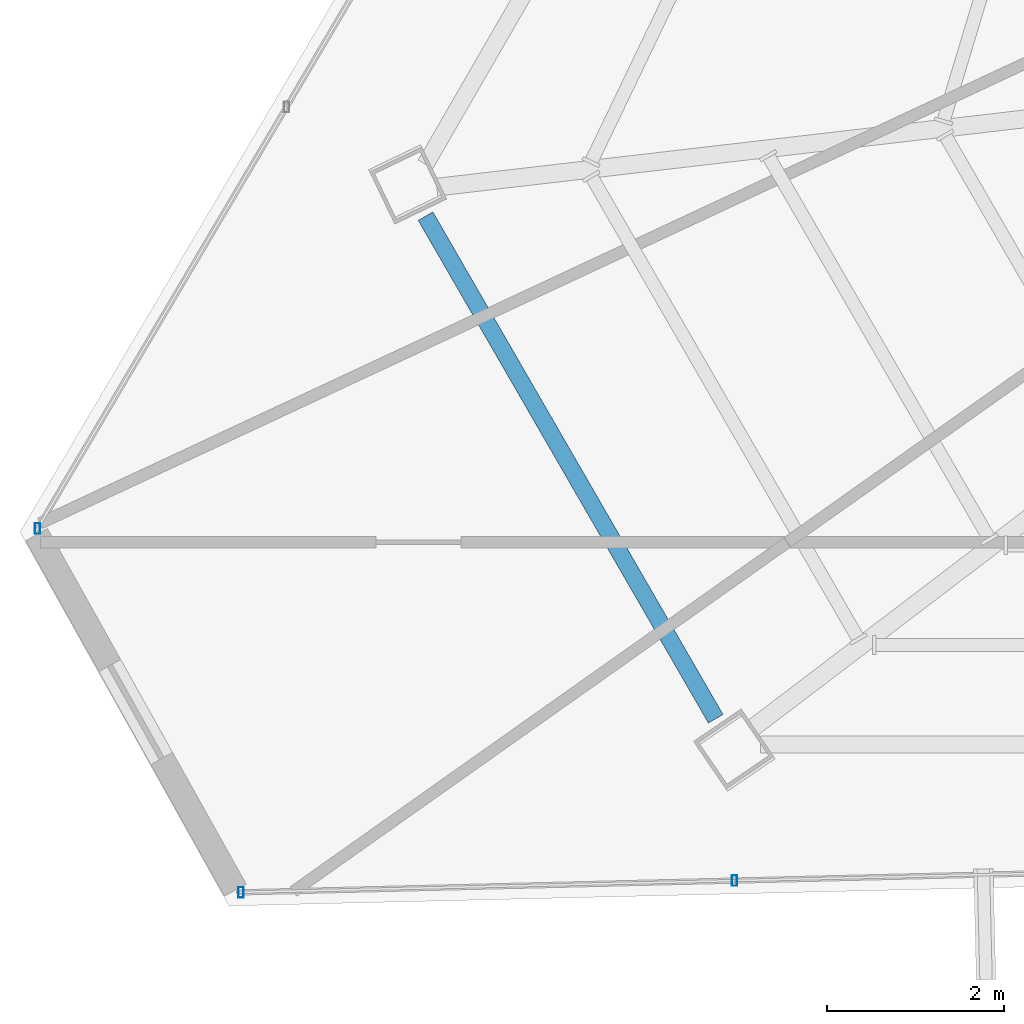
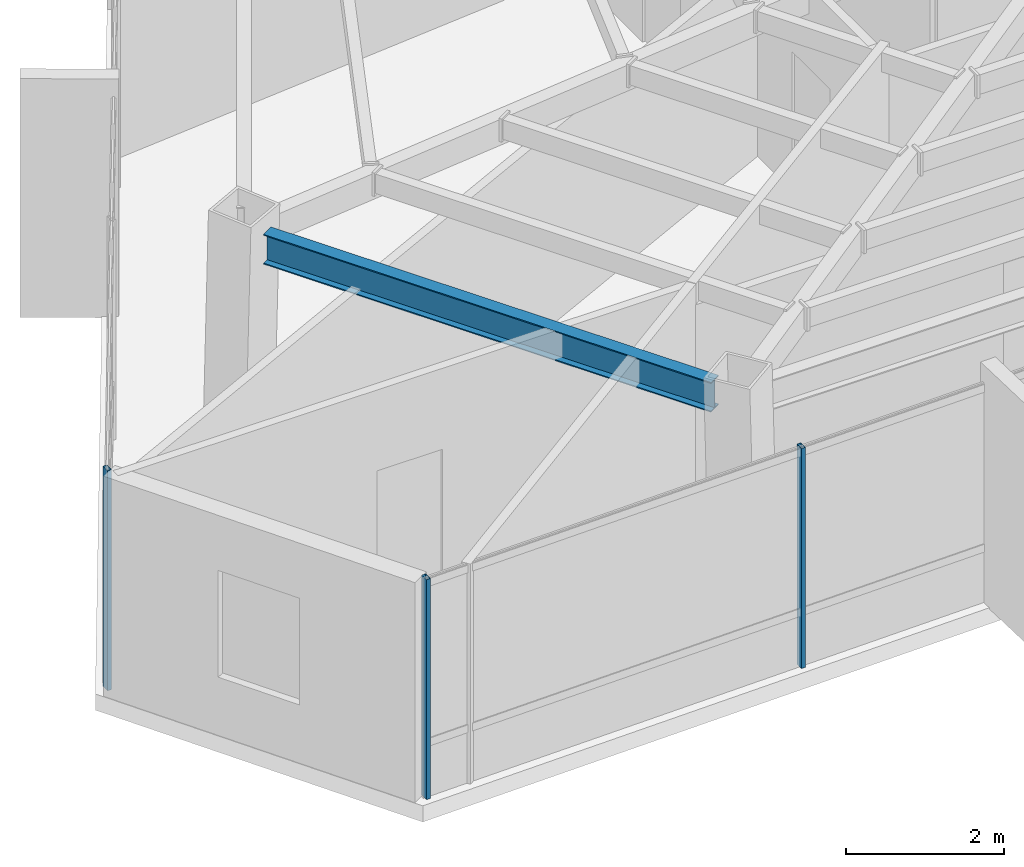
# One storey, part 3 of 45: 3 members, 1 beam, 2 elements without a shape of their own.
"""IFC4 building model written with IfcOpenShell, lengths in metres."""

from ifc_helpers import new_model, si_unit, direction, frame, origin, origin_2d, place, context, subcontext, project, spatial, hollow_rectangle, i_section, extrude, source, transform, mapped, material, material_profile, profile_set, type_object, type_shapes, element, aggregate, save


model = new_model("IFC4")

# Units and contexts
model_context = context("Model", 3, precision=1e-05, world=origin(), true_north=direction((0.0, 1.0)))
body_context = subcontext(model_context, "Body", "Model", "MODEL_VIEW")
ifc_project = project(units=[si_unit("LENGTHUNIT", "METRE"), si_unit("AREAUNIT", "SQUARE_METRE"), si_unit("VOLUMEUNIT", "CUBIC_METRE"), si_unit("PLANEANGLEUNIT", "RADIAN"), si_unit("MASSUNIT", "GRAM", prefix="KILO")], contexts=[model_context])

# Site, building, storey
site_placement = place(None, origin())
site = spatial("IfcSite", under=ifc_project, at=site_placement, CompositionType="ELEMENT")
building_placement = place(site_placement, origin())
building = spatial("IfcBuilding", under=site, at=building_placement, Name="Caelisora Broadcast Tower", CompositionType="ELEMENT")
storey_placement = place(building_placement, frame((0.0, 0.0, 262.699951171875)))
storey = spatial("IfcBuildingStorey", under=building, at=storey_placement, Name="L69", CompositionType="ELEMENT", Elevation=262.699951171875)

# Beam
ifc_material_1 = material(Name="Steel Grade 350 (AS/NZS 3679.1)", Category="steel")
ifc_material_profile_1 = material_profile(ifc_material_1, i_section(OverallWidth=0.19091796875, OverallDepth=0.46044921875, WebThickness=0.010009765625, FlangeThickness=0.01611328125, at=origin_2d()), Name="Steel Grade 350 (AS/NZS 3679.1)")
ifc_profile_set_1 = profile_set([ifc_material_profile_1], Name="Steel Grade 350 (AS/NZS 3679.1)")
beam_type = type_object("IfcBeamType", Name="PG06", PredefinedType="BEAM", material=ifc_profile_set_1)
shared_shape_1 = source(origin(), body_context, "Body", "SweptSolid", [
    extrude(i_section(OverallWidth=0.19091796875, OverallDepth=0.46044921875, WebThickness=0.010009765625, FlangeThickness=0.01611328125, at=origin_2d()), origin(), (0.0, 0.0, 1.0), 6.54052734375),
])
type_shapes(beam_type, [shared_shape_1])
beam_placement = place(storey_placement, frame((16.712890625, 15.486083984375, 3.169921875), z_axis=(0.499997099805, -0.866027078206, 0.0), x_axis=(0.866027078206, 0.499997099805, 0.0)))
element("IfcBeam", 1, at=beam_placement, inside=storey, type_object=beam_type, Name="L69 beam PG06", PredefinedType="BEAM", context=body_context, shape_type="MappedRepresentation", body=[
    mapped(shared_shape_1, transform((0.0, 0.0, 0.0), scale=1.0)),
])

# Curtain wall, members
ifc_material_2 = material(Name="Unitised Aluminium and Low-E Glass Curtain Wall", Category="glass")
curtain_wall_type = type_object("IfcCurtainWallType", Name="CW-Z5", PredefinedType="NOTDEFINED", material=ifc_material_2)
curtain_wall_1_placement = place(storey_placement, origin())
curtain_wall_1 = element("IfcCurtainWall", 2, at=curtain_wall_1_placement, inside=storey, type_object=curtain_wall_type, Name="L69 curtain wall CW-Z5", PredefinedType="NOTDEFINED")
ifc_material_3 = material(Name="Aluminium 6063-T6 Anodised Terracotta Bronze", Category="aluminium")
ifc_material_profile_2 = material_profile(ifc_material_3, hollow_rectangle(XDim=0.06005859375, YDim=0.1201171875, WallThickness=0.0029296875, at=origin_2d()), Name="Aluminium 6063-T6 Anodised Terracotta Bronze")
ifc_profile_set_2 = profile_set([ifc_material_profile_2], Name="Aluminium 6063-T6 Anodised Terracotta Bronze")
member_type = type_object("IfcMemberType", Name="CWM-04", PredefinedType="MULLION", material=ifc_profile_set_2)
shared_shape_2 = source(origin(), body_context, "Body", "SweptSolid", [
    extrude(hollow_rectangle(XDim=0.06005859375, YDim=0.1201171875, WallThickness=0.0029296875, at=origin_2d()), origin(), (0.0, 0.0, 1.0), 3.400146484375),
])
type_shapes(member_type, [shared_shape_2])
member_1_placement = place(storey_placement, frame((20.1943359375, 7.99755859375, 0.0), z_axis=(0.0, 0.0, 1.0), x_axis=(1.0, 0.0, 0.0)))
member_1 = element("IfcMember", 3, at=member_1_placement, type_object=member_type, Name="L69-CW-B07 mullion #2", PredefinedType="MULLION", context=body_context, shape_type="MappedRepresentation", body=[
    mapped(shared_shape_2, transform((0.0, 0.0, 0.0), scale=1.0)),
])
member_2_placement = place(storey_placement, frame((14.634033203125, 7.865234375, 0.0), z_axis=(0.0, 0.0, 1.0), x_axis=(1.0, 0.0, 0.0)))
member_2 = element("IfcMember", 4, at=member_2_placement, type_object=member_type, Name="L69-CW-B07 mullion #3", PredefinedType="MULLION", context=body_context, shape_type="MappedRepresentation", body=[
    mapped(shared_shape_2, transform((0.0, 0.0, 0.0), scale=1.0)),
])
aggregate(curtain_wall_1, [member_1, member_2])

# Curtain wall, member
curtain_wall_2_placement = place(storey_placement, origin())
curtain_wall_2 = element("IfcCurtainWall", 5, at=curtain_wall_2_placement, inside=storey, type_object=curtain_wall_type, Name="L69 curtain wall CW-Z5", PredefinedType="NOTDEFINED")
member_3_placement = place(storey_placement, frame((12.34033203125, 11.966064453125, 0.0), z_axis=(0.0, 0.0, 1.0), x_axis=(1.0, 0.0, 0.0)))
member_3 = element("IfcMember", 6, at=member_3_placement, type_object=member_type, Name="L69-CW-B09 mullion #0", PredefinedType="MULLION", context=body_context, shape_type="MappedRepresentation", body=[
    mapped(shared_shape_2, transform((0.0, 0.0, 0.0), scale=1.0)),
])
aggregate(curtain_wall_2, [member_3])

save(model, "model.ifc")
